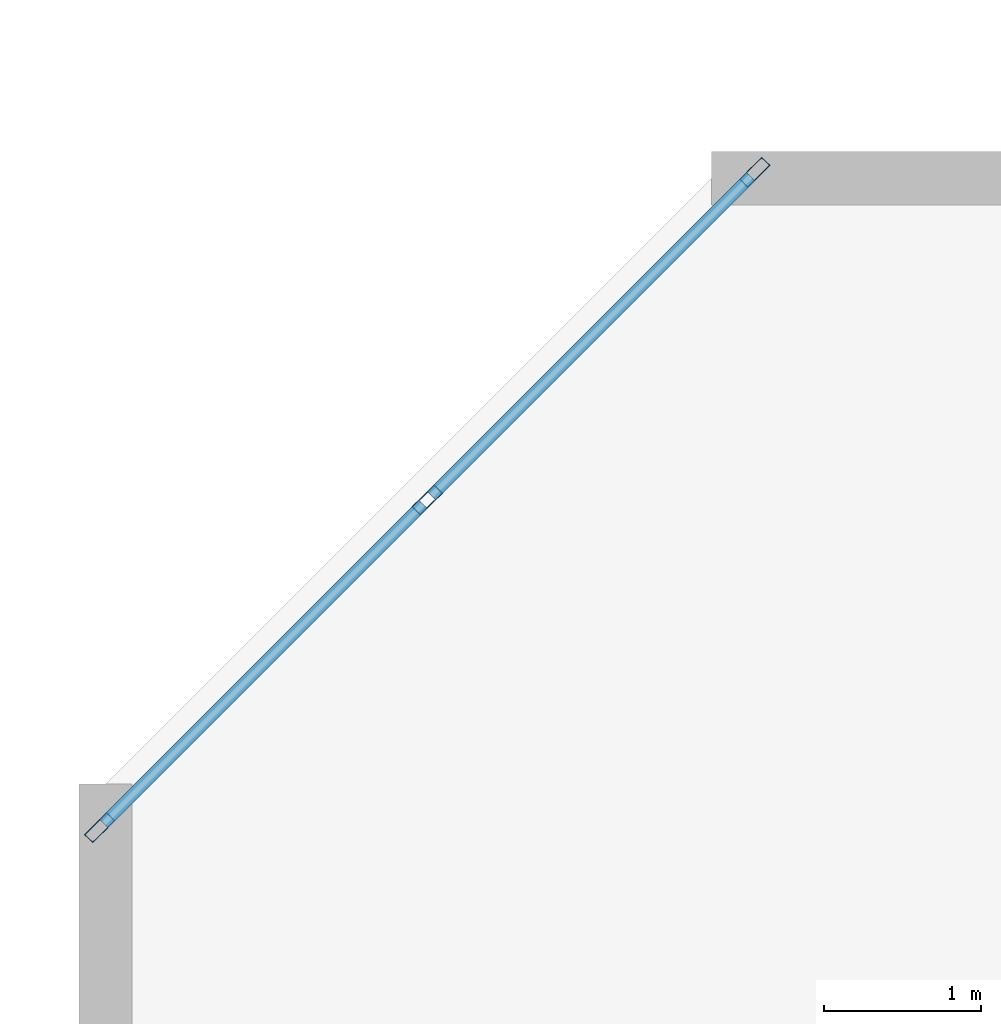
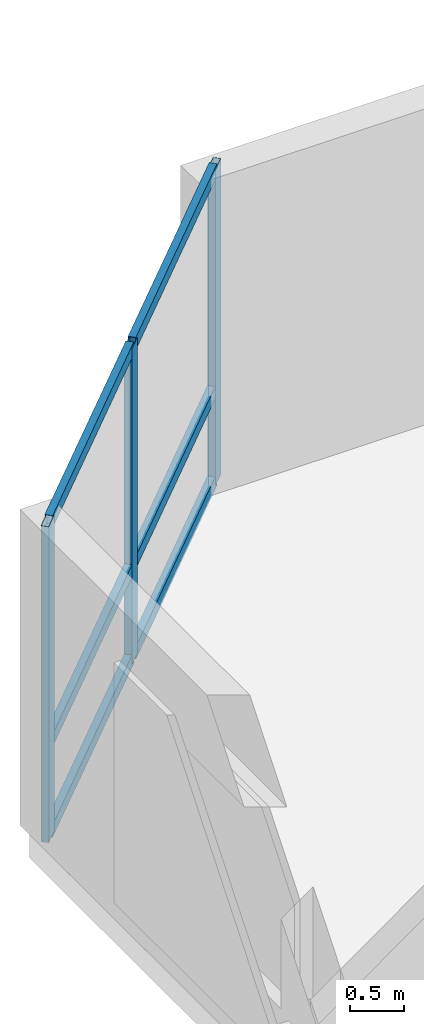
# One storey, part 3 of 12: 9 members, 1 element without a shape of its own.
"""IFC4 building model written with IfcOpenShell, lengths in metres."""

from ifc_helpers import new_model, si_unit, direction, frame, origin, origin_2d, place, context, subcontext, project, spatial, hollow_rectangle, extrude, material, layer, layer_set, material_profile, profile_set, type_object, element, aggregate, save


model = new_model("IFC4")

# Units and contexts
model_context = context("Model", 3, precision=1e-05, world=origin(), true_north=direction((0.0, 1.0)))
body_context = subcontext(model_context, "Body", "Model", "MODEL_VIEW")
ifc_project = project(units=[si_unit("LENGTHUNIT", "METRE"), si_unit("AREAUNIT", "SQUARE_METRE"), si_unit("VOLUMEUNIT", "CUBIC_METRE"), si_unit("PLANEANGLEUNIT", "RADIAN"), si_unit("MASSUNIT", "GRAM", prefix="KILO")], contexts=[model_context])

# Site, building, storey
site_placement = place(None, origin())
site = spatial("IfcSite", under=ifc_project, at=site_placement, CompositionType="ELEMENT")
building_placement = place(site_placement, origin())
building = spatial("IfcBuilding", under=site, at=building_placement, Name="Kestravale Grand Hotel", CompositionType="ELEMENT")
storey_placement = place(building_placement, frame((0.0, 0.0, 48.800048828125)))
storey = spatial("IfcBuildingStorey", under=building, at=storey_placement, Name="L11", CompositionType="ELEMENT", Elevation=48.800048828125)

# Curtain wall, members
ifc_material_1 = material(Name="Thermally broken champagne-bronze aluminium and low-E glazing", Category="aluminium")
ifc_layer = layer(ifc_material_1, 0.199951171875)
ifc_layer_set = layer_set([ifc_layer], Name="CW-Z1")
curtain_wall_type = type_object("IfcCurtainWallType", Name="CW-Z1", PredefinedType="NOTDEFINED", material=ifc_layer_set)
curtain_wall_placement = place(storey_placement, origin())
curtain_wall = element("IfcCurtainWall", 1, at=curtain_wall_placement, inside=storey, type_object=curtain_wall_type, Name="L11 unitised curtain wall 18", PredefinedType="NOTDEFINED")
ifc_material_2 = material(Name="Aluminium 6063-T6 anodised", Category="aluminium")
ifc_material_profile_1 = material_profile(ifc_material_2, hollow_rectangle(XDim=0.074951171875, YDim=0.199951171875, WallThickness=0.00390625, at=origin_2d()))
ifc_profile_set_1 = profile_set([ifc_material_profile_1], Name="Aluminium 6063-T6 anodised")
member_type_1 = type_object("IfcMemberType", Name="CW-MUL-200", PredefinedType="MULLION", material=ifc_profile_set_1)
member_1_placement = place(storey_placement, frame((6.707763671875, 46.0673828125, 0.0), z_axis=(0.0, 0.0, 1.0), x_axis=(0.707106781187, -0.707106781187, 0.0)))
member_1 = element("IfcMember", 2, at=member_1_placement, type_object=member_type_1, Name="CW-Z1 mullion 1", PredefinedType="MULLION", context=body_context, shape_type="SweptSolid", body=[
    extrude(hollow_rectangle(XDim=0.074951171875, YDim=0.199951171875, WallThickness=0.00390625, at=origin_2d()), origin(), (0.0, 0.0, 1.0), 3.5400390625),
])
member_2_placement = place(storey_placement, frame((4.6201171875, 43.979736328125, 0.0), z_axis=(0.0, 0.0, 1.0), x_axis=(0.707106781187, -0.707106781187, 0.0)))
member_2 = element("IfcMember", 3, at=member_2_placement, type_object=member_type_1, Name="CW-Z1 mullion 2", PredefinedType="MULLION", context=body_context, shape_type="SweptSolid", body=[
    extrude(hollow_rectangle(XDim=0.074951171875, YDim=0.199951171875, WallThickness=0.00390625, at=origin_2d()), origin(), (0.0, 0.0, 1.0), 3.5400390625),
])
member_3_placement = place(storey_placement, frame((2.532470703125, 41.89208984375, 0.0), z_axis=(0.0, 0.0, 1.0), x_axis=(0.707106781187, -0.707106781187, 0.0)))
member_3 = element("IfcMember", 4, at=member_3_placement, type_object=member_type_1, Name="CW-Z1 mullion 3", PredefinedType="MULLION", context=body_context, shape_type="SweptSolid", body=[
    extrude(hollow_rectangle(XDim=0.074951171875, YDim=0.199951171875, WallThickness=0.00390625, at=origin_2d()), origin(), (0.0, 0.0, 1.0), 3.5400390625),
])
ifc_material_3 = material(Name="Aluminium 6063-T6 anodised", Category="aluminium")
ifc_material_profile_2 = material_profile(ifc_material_3, hollow_rectangle(XDim=0.074951171875, YDim=0.139892578125, WallThickness=0.00341796875, at=origin_2d()))
ifc_profile_set_2 = profile_set([ifc_material_profile_2], Name="Aluminium 6063-T6 anodised")
member_type_2 = type_object("IfcMemberType", Name="CW-TRN-140", PredefinedType="USERDEFINED", material=ifc_profile_set_2)
member_4_placement = place(storey_placement, frame((6.681396484375, 46.041015625, 0.037353515625), z_axis=(-0.707106781187, -0.707106781187, 0.0), x_axis=(0.707106781187, -0.707106781187, 0.0)))
member_4 = element("IfcMember", 5, at=member_4_placement, type_object=member_type_2, Name="CW-Z1 transom 1.1", ObjectType="TRANSOM", PredefinedType="USERDEFINED", context=body_context, shape_type="SweptSolid", body=[
    extrude(hollow_rectangle(XDim=0.074951171875, YDim=0.139892578125, WallThickness=0.00341796875, at=origin_2d()), origin(), (0.0, 0.0, 1.0), 2.87744140625),
])
member_5_placement = place(storey_placement, frame((6.681396484375, 46.041015625, 1.050048828125), z_axis=(-0.707106781187, -0.707106781187, 0.0), x_axis=(0.707106781187, -0.707106781187, 0.0)))
member_5 = element("IfcMember", 6, at=member_5_placement, type_object=member_type_2, Name="CW-Z1 transom 1.2", ObjectType="TRANSOM", PredefinedType="USERDEFINED", context=body_context, shape_type="SweptSolid", body=[
    extrude(hollow_rectangle(XDim=0.074951171875, YDim=0.139892578125, WallThickness=0.00341796875, at=origin_2d()), origin(), (0.0, 0.0, 1.0), 2.87744140625),
])
member_6_placement = place(storey_placement, frame((6.681396484375, 46.041015625, 3.50244140625), z_axis=(-0.707106781187, -0.707106781187, 0.0), x_axis=(0.707106781187, -0.707106781187, 0.0)))
member_6 = element("IfcMember", 7, at=member_6_placement, type_object=member_type_2, Name="CW-Z1 transom 1.3", ObjectType="TRANSOM", PredefinedType="USERDEFINED", context=body_context, shape_type="SweptSolid", body=[
    extrude(hollow_rectangle(XDim=0.074951171875, YDim=0.139892578125, WallThickness=0.00341796875, at=origin_2d()), origin(), (0.0, 0.0, 1.0), 2.87744140625),
])
member_7_placement = place(storey_placement, frame((4.59375, 43.953369140625, 0.037353515625), z_axis=(-0.707106781187, -0.707106781187, 0.0), x_axis=(0.707106781187, -0.707106781187, 0.0)))
member_7 = element("IfcMember", 8, at=member_7_placement, type_object=member_type_2, Name="CW-Z1 transom 2.1", ObjectType="TRANSOM", PredefinedType="USERDEFINED", context=body_context, shape_type="SweptSolid", body=[
    extrude(hollow_rectangle(XDim=0.074951171875, YDim=0.139892578125, WallThickness=0.00341796875, at=origin_2d()), origin(), (0.0, 0.0, 1.0), 2.87744140625),
])
member_8_placement = place(storey_placement, frame((4.59375, 43.953369140625, 1.050048828125), z_axis=(-0.707106781187, -0.707106781187, 0.0), x_axis=(0.707106781187, -0.707106781187, 0.0)))
member_8 = element("IfcMember", 9, at=member_8_placement, type_object=member_type_2, Name="CW-Z1 transom 2.2", ObjectType="TRANSOM", PredefinedType="USERDEFINED", context=body_context, shape_type="SweptSolid", body=[
    extrude(hollow_rectangle(XDim=0.074951171875, YDim=0.139892578125, WallThickness=0.00341796875, at=origin_2d()), origin(), (0.0, 0.0, 1.0), 2.87744140625),
])
member_9_placement = place(storey_placement, frame((4.59375, 43.953369140625, 3.50244140625), z_axis=(-0.707106781187, -0.707106781187, 0.0), x_axis=(0.707106781187, -0.707106781187, 0.0)))
member_9 = element("IfcMember", 10, at=member_9_placement, type_object=member_type_2, Name="CW-Z1 transom 2.3", ObjectType="TRANSOM", PredefinedType="USERDEFINED", context=body_context, shape_type="SweptSolid", body=[
    extrude(hollow_rectangle(XDim=0.074951171875, YDim=0.139892578125, WallThickness=0.00341796875, at=origin_2d()), origin(), (0.0, 0.0, 1.0), 2.87744140625),
])
aggregate(curtain_wall, [member_1, member_2, member_3, member_4, member_5, member_6, member_7, member_8, member_9])

save(model, "model.ifc")
